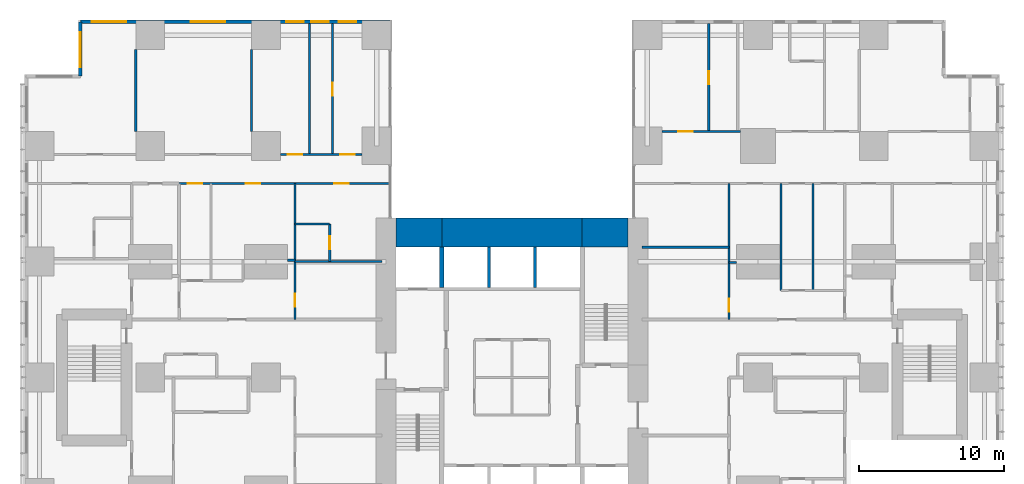
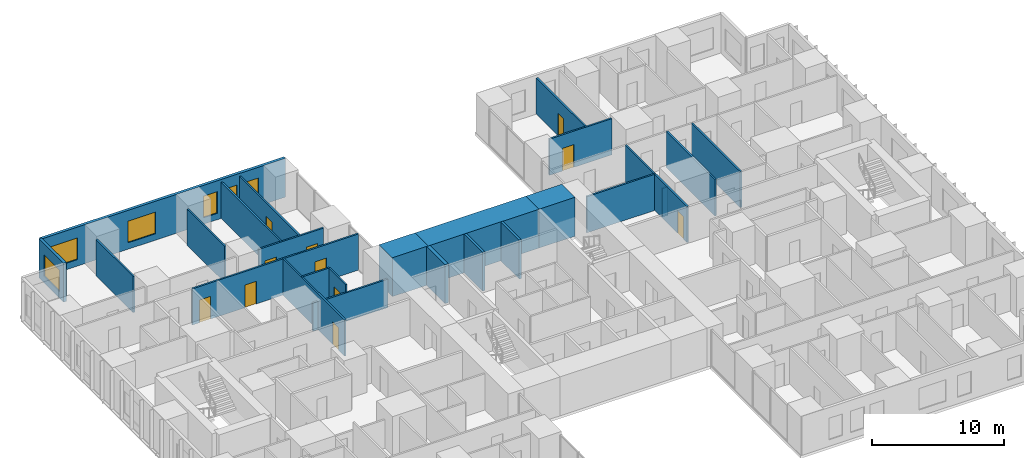
# One storey, part 17 of 20: 26 walls, 11 doors, 6 windows, 17 openings.
"""IFC4 building model written with IfcOpenShell, lengths in metres."""

from ifc_helpers import new_model, si_unit, direction, frame, frame_2d, origin, place, context, subcontext, project, spatial, rectangle, extrude, material, layer, layer_set, type_object, element, fill, save


model = new_model("IFC4")

# Units and contexts
model_context = context("Model", 3, precision=1e-05, world=origin(), true_north=direction((0.0, 1.0)))
body_context = subcontext(model_context, "Body", "Model", "MODEL_VIEW")
ifc_project = project(units=[si_unit("LENGTHUNIT", "METRE"), si_unit("AREAUNIT", "SQUARE_METRE"), si_unit("VOLUMEUNIT", "CUBIC_METRE"), si_unit("PLANEANGLEUNIT", "RADIAN"), si_unit("MASSUNIT", "GRAM", prefix="KILO")], contexts=[model_context])

# Site, building, storey
site_placement = place(None, origin())
site = spatial("IfcSite", under=ifc_project, at=site_placement, CompositionType="ELEMENT")
building_placement = place(site_placement, origin())
building = spatial("IfcBuilding", under=site, at=building_placement, Name="Cleftline Residences", CompositionType="ELEMENT")
storey_placement = place(building_placement, frame((0.0, 0.0, 80.0)))
storey = spatial("IfcBuildingStorey", under=building, at=storey_placement, Name="L20", CompositionType="ELEMENT", Elevation=80.0)

# Walls
ifc_material_1 = material(Name="Concrete B70", Category="concrete")
ifc_layer_1 = layer(ifc_material_1, 2.0)
ifc_layer_set_1 = layer_set([ifc_layer_1], Name="CORE WALL 2000")
wall_type_1 = type_object("IfcWallType", Name="CORE WALL 2000", PredefinedType="SHEAR", material=ifc_layer_set_1)
wall_1_placement = place(storey_placement, frame((25.0, 34.0, 0.0), z_axis=(0.0, 0.0, 1.0), x_axis=(1.0, 0.0, 0.0)))
element("IfcWall", 1, at=wall_1_placement, inside=storey, type_object=wall_type_1, Name="Core wall N1", PredefinedType="SHEAR", context=body_context, shape_type="SweptSolid", body=[
    extrude(rectangle(XDim=3.14990234375, YDim=2.0, at=frame_2d((1.574951171875, 0.0))), origin(), (0.0, 0.0, 1.0), 3.60009765625),
])
wall_2_placement = place(storey_placement, frame((28.14990234375, 34.0, 0.0), z_axis=(0.0, 0.0, 1.0), x_axis=(1.0, 0.0, 0.0)))
element("IfcWall", 2, at=wall_2_placement, inside=storey, type_object=wall_type_1, Name="Core wall N2", PredefinedType="SHEAR", context=body_context, shape_type="SweptSolid", body=[
    extrude(rectangle(XDim=9.7001953125, YDim=2.0, at=frame_2d((4.85009765625, 0.0))), origin(), (0.0, 0.0, 1.0), 3.60009765625),
])
wall_3_placement = place(storey_placement, frame((37.85009765625, 34.0, 0.0), z_axis=(0.0, 0.0, 1.0), x_axis=(1.0, 0.0, 0.0)))
element("IfcWall", 3, at=wall_3_placement, inside=storey, type_object=wall_type_1, Name="Core wall N3", PredefinedType="SHEAR", context=body_context, shape_type="SweptSolid", body=[
    extrude(rectangle(XDim=3.14990234375, YDim=2.0, at=frame_2d((1.574951171875, 0.0))), origin(), (0.0, 0.0, 1.0), 3.60009765625),
])
ifc_material_2 = material(Name="Concrete B70", Category="concrete")
ifc_layer_2 = layer(ifc_material_2, 0.300048828125)
ifc_layer_set_2 = layer_set([ifc_layer_2], Name="CORE WALL 300")
wall_type_2 = type_object("IfcWallType", Name="CORE WALL 300", PredefinedType="SHEAR", material=ifc_layer_set_2)
wall_4_placement = place(storey_placement, frame((28.14990234375, 30.199951171875, 0.0), z_axis=(0.0, 0.0, 1.0), x_axis=(0.0, 1.0, 0.0)))
element("IfcWall", 4, at=wall_4_placement, inside=storey, type_object=wall_type_2, Name="Lift shaft wall", PredefinedType="SHEAR", context=body_context, shape_type="SweptSolid", body=[
    extrude(rectangle(XDim=2.800048828125, YDim=0.300048828125, at=frame_2d((1.39990234375, 0.0))), origin(), (0.0, 0.0, 1.0), 3.60009765625),
])

# Wall, openings, windows
ifc_material_3 = material(Name="Rendered reinforced concrete blockwork", Category="masonry")
ifc_layer_3 = layer(ifc_material_3, 0.25)
ifc_layer_set_3 = layer_set([ifc_layer_3], Name="EXTERNAL WALL 250")
wall_type_3 = type_object("IfcWallType", Name="EXTERNAL WALL 250", PredefinedType="SOLIDWALL", material=ifc_layer_set_3)
wall_5_placement = place(storey_placement, frame((24.574951171875, 48.574951171875, 0.0), z_axis=(0.0, 0.0, 1.0), x_axis=(-1.0, 0.0, 0.0)))
wall_5 = element("IfcWall", 5, at=wall_5_placement, inside=storey, type_object=wall_type_3, Name="External wall", PredefinedType="SOLIDWALL", context=body_context, shape_type="SweptSolid", body=[
    extrude(rectangle(XDim=21.39990234375, YDim=0.25, at=frame_2d((10.699951171875, 0.0))), origin(), (0.0, 0.0, 1.0), 3.60009765625),
])
opening_1_placement = place(wall_5_placement, frame((2.35009765625, 0.0, 0.60009765625)))
opening_1 = element("IfcOpeningElement", 6, at=opening_1_placement, cuts=wall_5, Name="Opening W8", PredefinedType="OPENING", context=body_context, shape_type="SweptSolid", body=[
    extrude(rectangle(XDim=1.199951171875, YDim=2.0, at=frame_2d((0.60009765625, 1.0))), frame((0.0, 0.135009765625, 0.0), z_axis=(0.0, -1.0, 0.0), x_axis=(1.0, 0.0, 0.0)), (0.0, 0.0, 1.0), 0.27001953125),
])
opening_2_placement = place(wall_5_placement, frame((4.25, 0.0, 0.60009765625)))
opening_2 = element("IfcOpeningElement", 7, at=opening_2_placement, cuts=wall_5, Name="Opening W8", PredefinedType="OPENING", context=body_context, shape_type="SweptSolid", body=[
    extrude(rectangle(XDim=1.199951171875, YDim=2.0, at=frame_2d((0.60009765625, 1.0))), frame((0.0, 0.135009765625, 0.0), z_axis=(0.0, -1.0, 0.0), x_axis=(1.0, 0.0, 0.0)), (0.0, 0.0, 1.0), 0.27001953125),
])
opening_3_placement = place(wall_5_placement, frame((5.97509765625, 0.0, 0.60009765625)))
opening_3 = element("IfcOpeningElement", 8, at=opening_3_placement, cuts=wall_5, Name="Opening W8", PredefinedType="OPENING", context=body_context, shape_type="SweptSolid", body=[
    extrude(rectangle(XDim=1.199951171875, YDim=2.0, at=frame_2d((0.60009765625, 1.0))), frame((0.0, 0.135009765625, 0.0), z_axis=(0.0, -1.0, 0.0), x_axis=(1.0, 0.0, 0.0)), (0.0, 0.0, 1.0), 0.27001953125),
])
opening_4_placement = place(wall_5_placement, frame((11.375, 0.0, 0.60009765625)))
opening_4 = element("IfcOpeningElement", 9, at=opening_4_placement, cuts=wall_5, Name="Opening W6", PredefinedType="OPENING", context=body_context, shape_type="SweptSolid", body=[
    extrude(rectangle(XDim=2.39990234375, YDim=2.0, at=frame_2d((1.199951171875, 1.0))), frame((0.0, 0.135009765625, 0.0), z_axis=(0.0, -1.0, 0.0), x_axis=(1.0, 0.0, 0.0)), (0.0, 0.0, 1.0), 0.27001953125),
])
opening_5_placement = place(wall_5_placement, frame((18.22509765625, 0.0, 0.60009765625)))
opening_5 = element("IfcOpeningElement", 10, at=opening_5_placement, cuts=wall_5, Name="Opening W6", PredefinedType="OPENING", context=body_context, shape_type="SweptSolid", body=[
    extrude(rectangle(XDim=2.39990234375, YDim=2.0, at=frame_2d((1.199951171875, 1.0))), frame((0.0, 0.135009765625, 0.0), z_axis=(0.0, -1.0, 0.0), x_axis=(1.0, 0.0, 0.0)), (0.0, 0.0, 1.0), 0.27001953125),
])
ifc_material_4 = material(Name="Aluminium frame, clear double glazing", Category="aluminium")
window_type_1 = type_object("IfcWindowType", Name="WINDOW 1200X2000", PartitioningType="DOUBLE_PANEL_VERTICAL", PredefinedType="WINDOW", material=ifc_material_4)
window_1_placement = place(opening_1_placement, origin())
window_1 = element("IfcWindow", 11, at=window_1_placement, inside=storey, type_object=window_type_1, Name="Window", OverallHeight=2.0, OverallWidth=1.199951171875, PartitioningType="SINGLE_PANEL", PredefinedType="WINDOW", context=body_context, shape_type="SweptSolid", body=[
    extrude(rectangle(XDim=1.199951171875, YDim=2.0, at=frame_2d((0.60009765625, 1.0))), frame((0.0, 0.030029296875, 0.0), z_axis=(0.0, -1.0, 0.0), x_axis=(1.0, 0.0, 0.0)), (0.0, 0.0, 1.0), 0.06005859375),
])
fill(opening_1, window_1)
window_2_placement = place(opening_2_placement, origin())
window_2 = element("IfcWindow", 12, at=window_2_placement, inside=storey, type_object=window_type_1, Name="Window", OverallHeight=2.0, OverallWidth=1.199951171875, PartitioningType="SINGLE_PANEL", PredefinedType="WINDOW", context=body_context, shape_type="SweptSolid", body=[
    extrude(rectangle(XDim=1.199951171875, YDim=2.0, at=frame_2d((0.60009765625, 1.0))), frame((0.0, 0.030029296875, 0.0), z_axis=(0.0, -1.0, 0.0), x_axis=(1.0, 0.0, 0.0)), (0.0, 0.0, 1.0), 0.06005859375),
])
fill(opening_2, window_2)
window_3_placement = place(opening_3_placement, origin())
window_3 = element("IfcWindow", 13, at=window_3_placement, inside=storey, type_object=window_type_1, Name="Window", OverallHeight=2.0, OverallWidth=1.199951171875, PartitioningType="SINGLE_PANEL", PredefinedType="WINDOW", context=body_context, shape_type="SweptSolid", body=[
    extrude(rectangle(XDim=1.199951171875, YDim=2.0, at=frame_2d((0.60009765625, 1.0))), frame((0.0, 0.030029296875, 0.0), z_axis=(0.0, -1.0, 0.0), x_axis=(1.0, 0.0, 0.0)), (0.0, 0.0, 1.0), 0.06005859375),
])
fill(opening_3, window_3)
ifc_material_5 = material(Name="Aluminium frame, clear double glazing", Category="aluminium")
window_type_2 = type_object("IfcWindowType", Name="WINDOW 2400X2000", PartitioningType="DOUBLE_PANEL_VERTICAL", PredefinedType="WINDOW", material=ifc_material_5)
window_4_placement = place(opening_4_placement, origin())
window_4 = element("IfcWindow", 14, at=window_4_placement, inside=storey, type_object=window_type_2, Name="Window", OverallHeight=2.0, OverallWidth=2.39990234375, PartitioningType="SINGLE_PANEL", PredefinedType="WINDOW", context=body_context, shape_type="SweptSolid", body=[
    extrude(rectangle(XDim=2.39990234375, YDim=2.0, at=frame_2d((1.199951171875, 1.0))), frame((0.0, 0.030029296875, 0.0), z_axis=(0.0, -1.0, 0.0), x_axis=(1.0, 0.0, 0.0)), (0.0, 0.0, 1.0), 0.06005859375),
])
fill(opening_4, window_4)
window_5_placement = place(opening_5_placement, origin())
window_5 = element("IfcWindow", 15, at=window_5_placement, inside=storey, type_object=window_type_2, Name="Window", OverallHeight=2.0, OverallWidth=2.39990234375, PartitioningType="SINGLE_PANEL", PredefinedType="WINDOW", context=body_context, shape_type="SweptSolid", body=[
    extrude(rectangle(XDim=2.39990234375, YDim=2.0, at=frame_2d((1.199951171875, 1.0))), frame((0.0, 0.030029296875, 0.0), z_axis=(0.0, -1.0, 0.0), x_axis=(1.0, 0.0, 0.0)), (0.0, 0.0, 1.0), 0.06005859375),
])
fill(opening_5, window_5)

# Wall, opening, window
wall_6_placement = place(storey_placement, frame((3.175048828125, 48.574951171875, 0.0), z_axis=(0.0, 0.0, 1.0), x_axis=(0.0, -1.0, 0.0)))
wall_6 = element("IfcWall", 16, at=wall_6_placement, inside=storey, type_object=wall_type_3, Name="External wall", PredefinedType="SOLIDWALL", context=body_context, shape_type="SweptSolid", body=[
    extrude(rectangle(XDim=3.75, YDim=0.25, at=frame_2d((1.875, 0.0))), origin(), (0.0, 0.0, 1.0), 3.60009765625),
])
opening_6_placement = place(wall_6_placement, frame((0.737548828125, 0.0, 0.60009765625)))
opening_6 = element("IfcOpeningElement", 17, at=opening_6_placement, cuts=wall_6, Name="Opening W6", PredefinedType="OPENING", context=body_context, shape_type="SweptSolid", body=[
    extrude(rectangle(XDim=2.39990234375, YDim=2.0, at=frame_2d((1.199951171875, 1.0))), frame((0.0, 0.135009765625, 0.0), z_axis=(0.0, -1.0, 0.0), x_axis=(1.0, 0.0, 0.0)), (0.0, 0.0, 1.0), 0.27001953125),
])
window_6_placement = place(opening_6_placement, origin())
window_6 = element("IfcWindow", 18, at=window_6_placement, inside=storey, type_object=window_type_2, Name="Window", OverallHeight=2.0, OverallWidth=2.39990234375, PartitioningType="SINGLE_PANEL", PredefinedType="WINDOW", context=body_context, shape_type="SweptSolid", body=[
    extrude(rectangle(XDim=2.39990234375, YDim=2.0, at=frame_2d((1.199951171875, 1.0))), frame((0.0, 0.030029296875, 0.0), z_axis=(0.0, -1.0, 0.0), x_axis=(1.0, 0.0, 0.0)), (0.0, 0.0, 1.0), 0.06005859375),
])
fill(opening_6, window_6)

# Walls
ifc_material_6 = material(Name="Gypsum board on steel studs", Category="steel")
ifc_layer_4 = layer(ifc_material_6, 0.14990234375)
ifc_layer_set_4 = layer_set([ifc_layer_4], Name="PARTITION 150")
wall_type_4 = type_object("IfcWallType", Name="PARTITION 150", PredefinedType="PARTITIONING", material=ifc_layer_set_4)
wall_7_placement = place(storey_placement, frame((48.0, 31.949951171875, 0.0), z_axis=(0.0, 0.0, 1.0), x_axis=(1.0, 0.0, 0.0)))
element("IfcWall", 19, at=wall_7_placement, inside=storey, type_object=wall_type_4, Name="Partition", PredefinedType="PARTITIONING", context=body_context, shape_type="SweptSolid", body=[
    extrude(rectangle(XDim=0.5, YDim=0.14990234375, at=frame_2d((0.25, 0.0))), origin(), (0.0, 0.0, 1.0), 2.634033203125),
])
wall_8_placement = place(storey_placement, frame((18.0, 32.0, 0.0), z_axis=(0.0, 0.0, 1.0), x_axis=(1.0, 0.0, 0.0)))
element("IfcWall", 20, at=wall_8_placement, inside=storey, type_object=wall_type_4, Name="Partition", PredefinedType="PARTITIONING", context=body_context, shape_type="SweptSolid", body=[
    extrude(rectangle(XDim=6.0, YDim=0.14990234375, at=frame_2d((3.0, 0.0))), origin(), (0.0, 0.0, 1.0), 2.634033203125),
])
wall_9_placement = place(storey_placement, frame((17.5, 32.10009765625, 0.0), z_axis=(0.0, 0.0, 1.0), x_axis=(1.0, 0.0, 0.0)))
element("IfcWall", 21, at=wall_9_placement, inside=storey, type_object=wall_type_4, Name="Partition", PredefinedType="PARTITIONING", context=body_context, shape_type="SweptSolid", body=[
    extrude(rectangle(XDim=0.5, YDim=0.14990234375, at=frame_2d((0.25, 0.0))), origin(), (0.0, 0.0, 1.0), 2.634033203125),
])
wall_10_placement = place(storey_placement, frame((42.0, 33.0, 0.0), z_axis=(0.0, 0.0, 1.0), x_axis=(1.0, 0.0, 0.0)))
element("IfcWall", 22, at=wall_10_placement, inside=storey, type_object=wall_type_4, Name="Partition", PredefinedType="PARTITIONING", context=body_context, shape_type="SweptSolid", body=[
    extrude(rectangle(XDim=6.0, YDim=0.14990234375, at=frame_2d((3.0, 0.0))), origin(), (0.0, 0.0, 1.0), 3.35009765625),
])
wall_11_placement = place(storey_placement, frame((18.0, 34.60009765625, 0.0), z_axis=(0.0, 0.0, 1.0), x_axis=(1.0, 0.0, 0.0)))
element("IfcWall", 23, at=wall_11_placement, inside=storey, type_object=wall_type_4, Name="Partition", PredefinedType="PARTITIONING", context=body_context, shape_type="SweptSolid", body=[
    extrude(rectangle(XDim=2.39990234375, YDim=0.14990234375, at=frame_2d((1.199951171875, 0.0))), origin(), (0.0, 0.0, 1.0), 3.35009765625),
])

# Wall, openings, doors
wall_12_placement = place(storey_placement, frame((10.0, 37.39990234375, 0.0), z_axis=(0.0, 0.0, 1.0), x_axis=(1.0, 0.0, 0.0)))
wall_12 = element("IfcWall", 24, at=wall_12_placement, inside=storey, type_object=wall_type_4, Name="Partition", PredefinedType="PARTITIONING", context=body_context, shape_type="SweptSolid", body=[
    extrude(rectangle(XDim=14.56103515625, YDim=0.14990234375, at=frame_2d((7.280517578125, 0.0))), origin(), (0.0, 0.0, 1.0), 3.35009765625),
])
opening_7_placement = place(wall_12_placement, frame((0.60009765625, 0.0, 0.0)))
opening_7 = element("IfcOpeningElement", 25, at=opening_7_placement, cuts=wall_12, Name="Opening D2F30", PredefinedType="OPENING", context=body_context, shape_type="SweptSolid", body=[
    extrude(rectangle(XDim=1.0, YDim=2.10009765625, at=frame_2d((0.5, 1.050048828125))), frame((0.0, 0.0849609375, 0.0), z_axis=(0.0, -1.0, 0.0), x_axis=(1.0, 0.0, 0.0)), (0.0, 0.0, 1.0), 0.169921875),
])
opening_8_placement = place(wall_12_placement, frame((4.60009765625, 0.0, 0.0)))
opening_8 = element("IfcOpeningElement", 26, at=opening_8_placement, cuts=wall_12, Name="Opening D2F30", PredefinedType="OPENING", context=body_context, shape_type="SweptSolid", body=[
    extrude(rectangle(XDim=1.0, YDim=2.10009765625, at=frame_2d((0.5, 1.050048828125))), frame((0.0, 0.0849609375, 0.0), z_axis=(0.0, -1.0, 0.0), x_axis=(1.0, 0.0, 0.0)), (0.0, 0.0, 1.0), 0.169921875),
])
opening_9_placement = place(wall_12_placement, frame((10.72509765625, 0.0, 0.0)))
opening_9 = element("IfcOpeningElement", 27, at=opening_9_placement, cuts=wall_12, Name="Opening D2F30", PredefinedType="OPENING", context=body_context, shape_type="SweptSolid", body=[
    extrude(rectangle(XDim=1.0, YDim=2.10009765625, at=frame_2d((0.5, 1.050048828125))), frame((0.0, 0.0849609375, 0.0), z_axis=(0.0, -1.0, 0.0), x_axis=(1.0, 0.0, 0.0)), (0.0, 0.0, 1.0), 0.169921875),
])
ifc_material_7 = material(Name="Timber veneer on solid core", Category="wood")
door_type_1 = type_object("IfcDoorType", Name="DOOR 1000X2100 EI 30", OperationType="SINGLE_SWING_LEFT", PredefinedType="DOOR", material=ifc_material_7)
door_1_placement = place(opening_7_placement, origin())
door_1 = element("IfcDoor", 28, at=door_1_placement, inside=storey, type_object=door_type_1, Name="Door to residence hall (gallery)", OperationType="SINGLE_SWING_RIGHT", OverallHeight=2.10009765625, OverallWidth=1.0, PredefinedType="DOOR", context=body_context, shape_type="SweptSolid", body=[
    extrude(rectangle(XDim=1.0, YDim=2.10009765625, at=frame_2d((0.5, 1.050048828125))), frame((0.0, 0.02490234375, 0.0), z_axis=(0.0, -1.0, 0.0), x_axis=(1.0, 0.0, 0.0)), (0.0, 0.0, 1.0), 0.050048828125),
])
fill(opening_7, door_1)
door_2_placement = place(opening_8_placement, origin())
door_2 = element("IfcDoor", 29, at=door_2_placement, inside=storey, type_object=door_type_1, Name="Door to study", OperationType="SINGLE_SWING_RIGHT", OverallHeight=2.10009765625, OverallWidth=1.0, PredefinedType="DOOR", context=body_context, shape_type="SweptSolid", body=[
    extrude(rectangle(XDim=1.0, YDim=2.10009765625, at=frame_2d((0.5, 1.050048828125))), frame((0.0, 0.02490234375, 0.0), z_axis=(0.0, -1.0, 0.0), x_axis=(1.0, 0.0, 0.0)), (0.0, 0.0, 1.0), 0.050048828125),
])
fill(opening_8, door_2)
door_3_placement = place(opening_9_placement, origin())
door_3 = element("IfcDoor", 30, at=door_3_placement, inside=storey, type_object=door_type_1, Name="Door to bedroom 2", OperationType="SINGLE_SWING_LEFT", OverallHeight=2.10009765625, OverallWidth=1.0, PredefinedType="DOOR", context=body_context, shape_type="SweptSolid", body=[
    extrude(rectangle(XDim=1.0, YDim=2.10009765625, at=frame_2d((0.5, 1.050048828125))), frame((0.0, 0.02490234375, 0.0), z_axis=(0.0, -1.0, 0.0), x_axis=(1.0, 0.0, 0.0)), (0.0, 0.0, 1.0), 0.050048828125),
])
fill(opening_9, door_3)

wall_13_placement = place(storey_placement, frame((17.0, 39.39990234375, 0.0), z_axis=(0.0, 0.0, 1.0), x_axis=(1.0, 0.0, 0.0)))
wall_13 = element("IfcWall", 31, at=wall_13_placement, inside=storey, type_object=wall_type_4, Name="Partition", PredefinedType="PARTITIONING", context=body_context, shape_type="SweptSolid", body=[
    extrude(rectangle(XDim=5.64990234375, YDim=0.14990234375, at=frame_2d((2.824951171875, 0.0))), origin(), (0.0, 0.0, 1.0), 3.35009765625),
])
opening_10_placement = place(wall_13_placement, frame((0.5, 0.0, 0.0)))
opening_10 = element("IfcOpeningElement", 32, at=opening_10_placement, cuts=wall_13, Name="Opening D2", PredefinedType="OPENING", context=body_context, shape_type="SweptSolid", body=[
    extrude(rectangle(XDim=1.0, YDim=2.10009765625, at=frame_2d((0.5, 1.050048828125))), frame((0.0, 0.0849609375, 0.0), z_axis=(0.0, -1.0, 0.0), x_axis=(1.0, 0.0, 0.0)), (0.0, 0.0, 1.0), 0.169921875),
])
opening_11_placement = place(wall_13_placement, frame((4.125, 0.0, 0.0)))
opening_11 = element("IfcOpeningElement", 33, at=opening_11_placement, cuts=wall_13, Name="Opening D2", PredefinedType="OPENING", context=body_context, shape_type="SweptSolid", body=[
    extrude(rectangle(XDim=1.0, YDim=2.10009765625, at=frame_2d((0.5, 1.050048828125))), frame((0.0, 0.0849609375, 0.0), z_axis=(0.0, -1.0, 0.0), x_axis=(1.0, 0.0, 0.0)), (0.0, 0.0, 1.0), 0.169921875),
])
ifc_material_8 = material(Name="Timber veneer on solid core", Category="wood")
door_type_2 = type_object("IfcDoorType", Name="DOOR 1000X2100", OperationType="SINGLE_SWING_LEFT", PredefinedType="DOOR", material=ifc_material_8)
door_4_placement = place(opening_10_placement, origin())
door_4 = element("IfcDoor", 34, at=door_4_placement, inside=storey, type_object=door_type_2, Name="Door to dining room", OperationType="SINGLE_SWING_RIGHT", OverallHeight=2.10009765625, OverallWidth=1.0, PredefinedType="DOOR", context=body_context, shape_type="SweptSolid", body=[
    extrude(rectangle(XDim=1.0, YDim=2.10009765625, at=frame_2d((0.5, 1.050048828125))), frame((0.0, 0.02490234375, 0.0), z_axis=(0.0, -1.0, 0.0), x_axis=(1.0, 0.0, 0.0)), (0.0, 0.0, 1.0), 0.050048828125),
])
fill(opening_10, door_4)
door_5_placement = place(opening_11_placement, origin())
door_5 = element("IfcDoor", 35, at=door_5_placement, inside=storey, type_object=door_type_2, Name="Door to show kitchen", OperationType="SINGLE_SWING_LEFT", OverallHeight=2.10009765625, OverallWidth=1.0, PredefinedType="DOOR", context=body_context, shape_type="SweptSolid", body=[
    extrude(rectangle(XDim=1.0, YDim=2.10009765625, at=frame_2d((0.5, 1.050048828125))), frame((0.0, 0.02490234375, 0.0), z_axis=(0.0, -1.0, 0.0), x_axis=(1.0, 0.0, 0.0)), (0.0, 0.0, 1.0), 0.050048828125),
])
fill(opening_11, door_5)

# Wall, opening, door
wall_14_placement = place(storey_placement, frame((43.35009765625, 41.0, 0.0), z_axis=(0.0, 0.0, 1.0), x_axis=(1.0, 0.0, 0.0)))
wall_14 = element("IfcWall", 36, at=wall_14_placement, inside=storey, type_object=wall_type_4, Name="Partition", PredefinedType="PARTITIONING", context=body_context, shape_type="SweptSolid", body=[
    extrude(rectangle(XDim=5.449951171875, YDim=0.14990234375, at=frame_2d((2.72509765625, 0.0))), origin(), (0.0, 0.0, 1.0), 3.35009765625),
])
opening_12_placement = place(wall_14_placement, frame((1.125, 0.0, 0.0)))
opening_12 = element("IfcOpeningElement", 37, at=opening_12_placement, cuts=wall_14, Name="Opening D2", PredefinedType="OPENING", context=body_context, shape_type="SweptSolid", body=[
    extrude(rectangle(XDim=1.0, YDim=2.10009765625, at=frame_2d((0.5, 1.050048828125))), frame((0.0, 0.0849609375, 0.0), z_axis=(0.0, -1.0, 0.0), x_axis=(1.0, 0.0, 0.0)), (0.0, 0.0, 1.0), 0.169921875),
])
door_6_placement = place(opening_12_placement, origin())
door_6 = element("IfcDoor", 38, at=door_6_placement, inside=storey, type_object=door_type_2, Name="Door to bedroom 3", OperationType="SINGLE_SWING_RIGHT", OverallHeight=2.10009765625, OverallWidth=1.0, PredefinedType="DOOR", context=body_context, shape_type="SweptSolid", body=[
    extrude(rectangle(XDim=1.0, YDim=2.10009765625, at=frame_2d((0.5, 1.050048828125))), frame((0.0, 0.02490234375, 0.0), z_axis=(0.0, -1.0, 0.0), x_axis=(1.0, 0.0, 0.0)), (0.0, 0.0, 1.0), 0.050048828125),
])
fill(opening_12, door_6)

# Walls
for number, where, z_axis, x_axis, name in (
    (39, (7.0, 41.0, 0.0), (0.0, 0.0, 1.0), (0.0, 1.0, 0.0), "Partition"),
    (40, (15.0, 41.0, 0.0), (0.0, 0.0, 1.0), (0.0, 1.0, 0.0), "Partition"),
):
    element("IfcWall", number, at=place(storey_placement, frame(where, z_axis=z_axis, x_axis=x_axis)), inside=storey, type_object=wall_type_4, Name=name, PredefinedType="PARTITIONING", context=body_context, shape_type="SweptSolid", body=[
        extrude(rectangle(XDim=5.64990234375, YDim=0.14990234375, at=frame_2d((2.824951171875, 0.0))), origin(), (0.0, 0.0, 1.0), 3.35009765625),
    ])

# Wall, opening, door
wall_15_placement = place(storey_placement, frame((18.0, 28.0, 0.0), z_axis=(0.0, 0.0, 1.0), x_axis=(0.0, 1.0, 0.0)))
wall_15 = element("IfcWall", 41, at=wall_15_placement, inside=storey, type_object=wall_type_4, Name="Partition", PredefinedType="PARTITIONING", context=body_context, shape_type="SweptSolid", body=[
    extrude(rectangle(XDim=9.39990234375, YDim=0.14990234375, at=frame_2d((4.699951171875, 0.0))), origin(), (0.0, 0.0, 1.0), 3.35009765625),
])
opening_13_placement = place(wall_15_placement, frame((0.887451171875, 0.0, 0.0)))
opening_13 = element("IfcOpeningElement", 42, at=opening_13_placement, cuts=wall_15, Name="Opening D1", PredefinedType="OPENING", context=body_context, shape_type="SweptSolid", body=[
    extrude(rectangle(XDim=0.89990234375, YDim=2.10009765625, at=frame_2d((0.449951171875, 1.050048828125))), frame((0.0, 0.0849609375, 0.0), z_axis=(0.0, -1.0, 0.0), x_axis=(1.0, 0.0, 0.0)), (0.0, 0.0, 1.0), 0.169921875),
])
ifc_material_9 = material(Name="Timber veneer on solid core", Category="wood")
door_type_3 = type_object("IfcDoorType", Name="DOOR 900X2100", OperationType="SINGLE_SWING_LEFT", PredefinedType="DOOR", material=ifc_material_9)
door_7_placement = place(opening_13_placement, origin())
door_7 = element("IfcDoor", 43, at=door_7_placement, inside=storey, type_object=door_type_3, Name="Door to utility room", OperationType="SINGLE_SWING_RIGHT", OverallHeight=2.10009765625, OverallWidth=0.89990234375, PredefinedType="DOOR", context=body_context, shape_type="SweptSolid", body=[
    extrude(rectangle(XDim=0.89990234375, YDim=2.10009765625, at=frame_2d((0.449951171875, 1.050048828125))), frame((0.0, 0.02490234375, 0.0), z_axis=(0.0, -1.0, 0.0), x_axis=(1.0, 0.0, 0.0)), (0.0, 0.0, 1.0), 0.050048828125),
])
fill(opening_13, door_7)

# Wall
wall_16_placement = place(storey_placement, frame((19.0, 39.39990234375, 0.0), z_axis=(0.0, 0.0, 1.0), x_axis=(0.0, 1.0, 0.0)))
element("IfcWall", 44, at=wall_16_placement, inside=storey, type_object=wall_type_4, Name="Partition", PredefinedType="PARTITIONING", context=body_context, shape_type="SweptSolid", body=[
    extrude(rectangle(XDim=9.050048828125, YDim=0.14990234375, at=frame_2d((4.52490234375, 0.0))), origin(), (0.0, 0.0, 1.0), 3.35009765625),
])

# Wall, opening, door
wall_17_placement = place(storey_placement, frame((20.39990234375, 32.0, 0.0), z_axis=(0.0, 0.0, 1.0), x_axis=(0.0, 1.0, 0.0)))
wall_17 = element("IfcWall", 45, at=wall_17_placement, inside=storey, type_object=wall_type_4, Name="Partition", PredefinedType="PARTITIONING", context=body_context, shape_type="SweptSolid", body=[
    extrude(rectangle(XDim=2.60009765625, YDim=0.14990234375, at=frame_2d((1.300048828125, 0.0))), origin(), (0.0, 0.0, 1.0), 3.35009765625),
])
opening_14_placement = place(wall_17_placement, frame((0.85009765625, 0.0, 0.0)))
opening_14 = element("IfcOpeningElement", 46, at=opening_14_placement, cuts=wall_17, Name="Opening D1", PredefinedType="OPENING", context=body_context, shape_type="SweptSolid", body=[
    extrude(rectangle(XDim=0.89990234375, YDim=2.10009765625, at=frame_2d((0.449951171875, 1.050048828125))), frame((0.0, 0.0849609375, 0.0), z_axis=(0.0, -1.0, 0.0), x_axis=(1.0, 0.0, 0.0)), (0.0, 0.0, 1.0), 0.169921875),
])
door_8_placement = place(opening_14_placement, origin())
door_8 = element("IfcDoor", 47, at=door_8_placement, inside=storey, type_object=door_type_3, Name="Door to en-suite bathroom 2", OperationType="SINGLE_SWING_LEFT", OverallHeight=2.10009765625, OverallWidth=0.89990234375, PredefinedType="DOOR", context=body_context, shape_type="SweptSolid", body=[
    extrude(rectangle(XDim=0.89990234375, YDim=2.10009765625, at=frame_2d((0.449951171875, 1.050048828125))), frame((0.0, 0.02490234375, 0.0), z_axis=(0.0, -1.0, 0.0), x_axis=(1.0, 0.0, 0.0)), (0.0, 0.0, 1.0), 0.050048828125),
])
fill(opening_14, door_8)

wall_18_placement = place(storey_placement, frame((20.60009765625, 39.39990234375, 0.0), z_axis=(0.0, 0.0, 1.0), x_axis=(0.0, 1.0, 0.0)))
wall_18 = element("IfcWall", 48, at=wall_18_placement, inside=storey, type_object=wall_type_4, Name="Partition", PredefinedType="PARTITIONING", context=body_context, shape_type="SweptSolid", body=[
    extrude(rectangle(XDim=9.050048828125, YDim=0.14990234375, at=frame_2d((4.52490234375, 0.0))), origin(), (0.0, 0.0, 1.0), 3.35009765625),
])
opening_15_placement = place(wall_18_placement, frame((4.074951171875, 0.0, 0.0)))
opening_15 = element("IfcOpeningElement", 49, at=opening_15_placement, cuts=wall_18, Name="Opening D1", PredefinedType="OPENING", context=body_context, shape_type="SweptSolid", body=[
    extrude(rectangle(XDim=0.89990234375, YDim=2.10009765625, at=frame_2d((0.449951171875, 1.050048828125))), frame((0.0, 0.0849609375, 0.0), z_axis=(0.0, -1.0, 0.0), x_axis=(1.0, 0.0, 0.0)), (0.0, 0.0, 1.0), 0.169921875),
])
door_9_placement = place(opening_15_placement, origin())
door_9 = element("IfcDoor", 50, at=door_9_placement, inside=storey, type_object=door_type_3, Name="Door to kitchen store", OperationType="SINGLE_SWING_LEFT", OverallHeight=2.10009765625, OverallWidth=0.89990234375, PredefinedType="DOOR", context=body_context, shape_type="SweptSolid", body=[
    extrude(rectangle(XDim=0.89990234375, YDim=2.10009765625, at=frame_2d((0.449951171875, 1.050048828125))), frame((0.0, 0.02490234375, 0.0), z_axis=(0.0, -1.0, 0.0), x_axis=(1.0, 0.0, 0.0)), (0.0, 0.0, 1.0), 0.050048828125),
])
fill(opening_15, door_9)

wall_19_placement = place(storey_placement, frame((46.60009765625, 41.0, 0.0), z_axis=(0.0, 0.0, 1.0), x_axis=(0.0, 1.0, 0.0)))
wall_19 = element("IfcWall", 51, at=wall_19_placement, inside=storey, type_object=wall_type_4, Name="Partition", PredefinedType="PARTITIONING", context=body_context, shape_type="SweptSolid", body=[
    extrude(rectangle(XDim=7.449951171875, YDim=0.14990234375, at=frame_2d((3.72509765625, 0.0))), origin(), (0.0, 0.0, 1.0), 3.35009765625),
])
opening_16_placement = place(wall_19_placement, frame((3.27490234375, 0.0, 0.0)))
opening_16 = element("IfcOpeningElement", 52, at=opening_16_placement, cuts=wall_19, Name="Opening D1", PredefinedType="OPENING", context=body_context, shape_type="SweptSolid", body=[
    extrude(rectangle(XDim=0.89990234375, YDim=2.10009765625, at=frame_2d((0.449951171875, 1.050048828125))), frame((0.0, 0.0849609375, 0.0), z_axis=(0.0, -1.0, 0.0), x_axis=(1.0, 0.0, 0.0)), (0.0, 0.0, 1.0), 0.169921875),
])
door_10_placement = place(opening_16_placement, origin())
door_10 = element("IfcDoor", 53, at=door_10_placement, inside=storey, type_object=door_type_3, Name="Door to en-suite bathroom 3", OperationType="SINGLE_SWING_LEFT", OverallHeight=2.10009765625, OverallWidth=0.89990234375, PredefinedType="DOOR", context=body_context, shape_type="SweptSolid", body=[
    extrude(rectangle(XDim=0.89990234375, YDim=2.10009765625, at=frame_2d((0.449951171875, 1.050048828125))), frame((0.0, 0.02490234375, 0.0), z_axis=(0.0, -1.0, 0.0), x_axis=(1.0, 0.0, 0.0)), (0.0, 0.0, 1.0), 0.050048828125),
])
fill(opening_16, door_10)

wall_20_placement = place(storey_placement, frame((48.0, 28.0, 0.0), z_axis=(0.0, 0.0, 1.0), x_axis=(0.0, 1.0, 0.0)))
wall_20 = element("IfcWall", 54, at=wall_20_placement, inside=storey, type_object=wall_type_4, Name="Partition", PredefinedType="PARTITIONING", context=body_context, shape_type="SweptSolid", body=[
    extrude(rectangle(XDim=9.39990234375, YDim=0.14990234375, at=frame_2d((4.699951171875, 0.0))), origin(), (0.0, 0.0, 1.0), 3.35009765625),
])
opening_17_placement = place(wall_20_placement, frame((0.550048828125, 0.0, 0.0)))
opening_17 = element("IfcOpeningElement", 55, at=opening_17_placement, cuts=wall_20, Name="Opening D1", PredefinedType="OPENING", context=body_context, shape_type="SweptSolid", body=[
    extrude(rectangle(XDim=0.89990234375, YDim=2.10009765625, at=frame_2d((0.449951171875, 1.050048828125))), frame((0.0, 0.0849609375, 0.0), z_axis=(0.0, -1.0, 0.0), x_axis=(1.0, 0.0, 0.0)), (0.0, 0.0, 1.0), 0.169921875),
])
door_11_placement = place(opening_17_placement, origin())
door_11 = element("IfcDoor", 56, at=door_11_placement, inside=storey, type_object=door_type_3, Name="Door to laundry", OperationType="SINGLE_SWING_RIGHT", OverallHeight=2.10009765625, OverallWidth=0.89990234375, PredefinedType="DOOR", context=body_context, shape_type="SweptSolid", body=[
    extrude(rectangle(XDim=0.89990234375, YDim=2.10009765625, at=frame_2d((0.449951171875, 1.050048828125))), frame((0.0, 0.02490234375, 0.0), z_axis=(0.0, -1.0, 0.0), x_axis=(1.0, 0.0, 0.0)), (0.0, 0.0, 1.0), 0.050048828125),
])
fill(opening_17, door_11)

# Walls
for number, where, z_axis, x_axis, name in (
    (57, (51.60009765625, 30.0, 0.0), (0.0, 0.0, 1.0), (0.0, 1.0, 0.0), "Partition"),
    (58, (53.800048828125, 30.0, 0.0), (0.0, 0.0, 1.0), (0.0, 1.0, 0.0), "Partition"),
):
    element("IfcWall", number, at=place(storey_placement, frame(where, z_axis=z_axis, x_axis=x_axis)), inside=storey, type_object=wall_type_4, Name=name, PredefinedType="PARTITIONING", context=body_context, shape_type="SweptSolid", body=[
        extrude(rectangle(XDim=7.39990234375, YDim=0.14990234375, at=frame_2d((3.699951171875, 0.0))), origin(), (0.0, 0.0, 1.0), 3.35009765625),
    ])
ifc_material_10 = material(Name="Concrete blockwork, fire rated", Category="masonry")
ifc_layer_5 = layer(ifc_material_10, 0.199951171875)
ifc_layer_set_5 = layer_set([ifc_layer_5], Name="SHAFT WALL 200")
wall_type_5 = type_object("IfcWallType", Name="SHAFT WALL 200", PredefinedType="PARTITIONING", material=ifc_layer_set_5)
for number, where, z_axis, x_axis, name in (
    (59, (31.39990234375, 30.199951171875, 0.0), (0.0, 0.0, 1.0), (0.0, 1.0, 0.0), "Lift shaft wall"),
    (60, (34.60009765625, 30.199951171875, 0.0), (0.0, 0.0, 1.0), (0.0, 1.0, 0.0), "Lift shaft wall"),
):
    element("IfcWall", number, at=place(storey_placement, frame(where, z_axis=z_axis, x_axis=x_axis)), inside=storey, type_object=wall_type_5, Name=name, PredefinedType="PARTITIONING", context=body_context, shape_type="SweptSolid", body=[
        extrude(rectangle(XDim=2.800048828125, YDim=0.199951171875, at=frame_2d((1.39990234375, 0.0))), origin(), (0.0, 0.0, 1.0), 3.60009765625),
    ])

save(model, "model.ifc")
